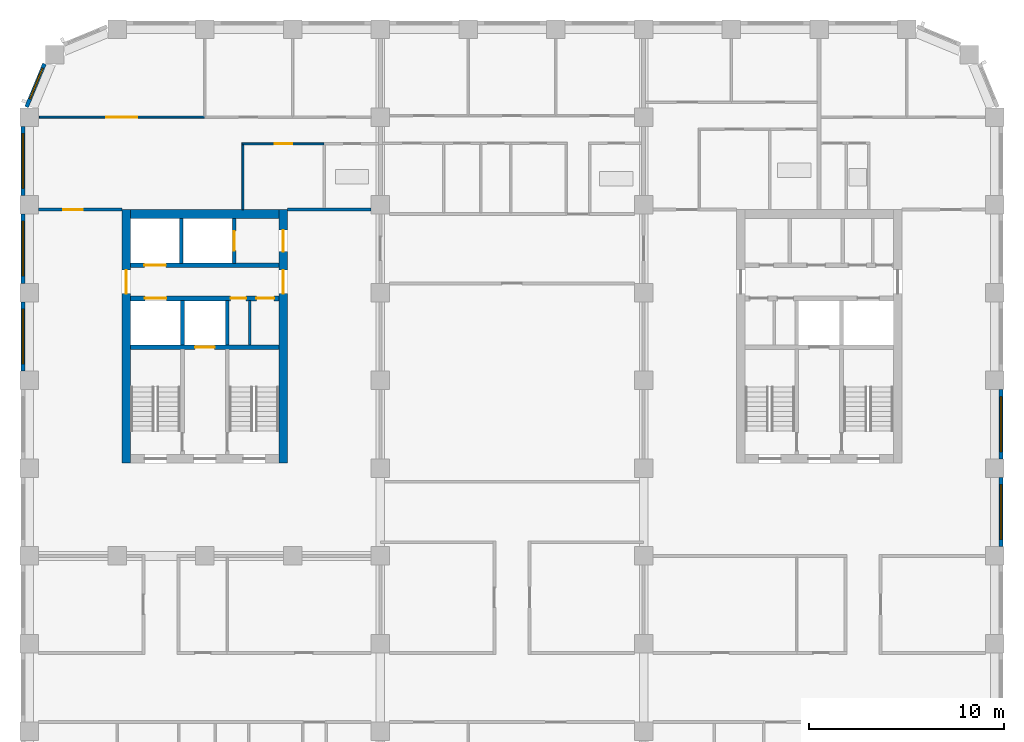
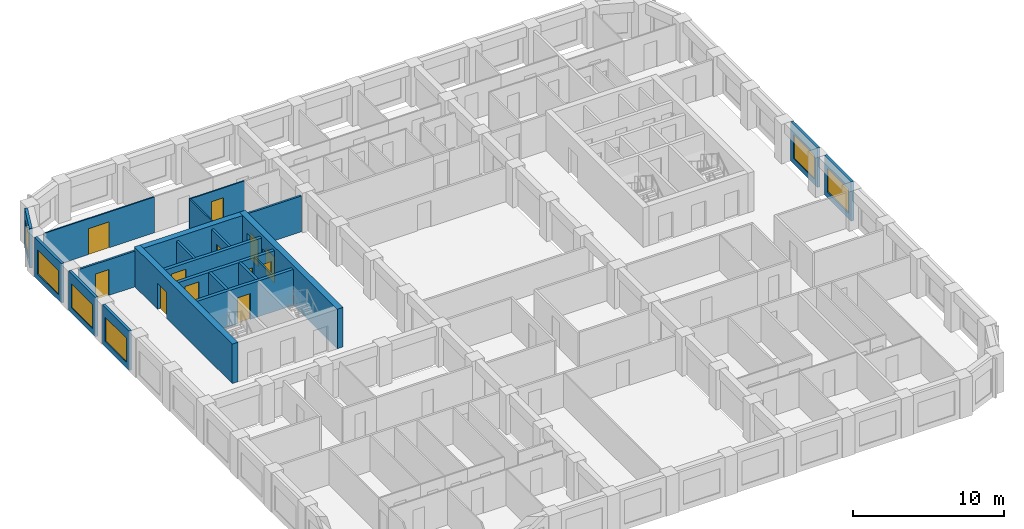
# One storey, part 6 of 13: 22 walls, 12 doors, 6 windows, 18 openings.
"""IFC4 building model written with IfcOpenShell, lengths in metres."""

from ifc_helpers import new_model, si_unit, direction, frame, frame_2d, origin, place, context, subcontext, project, spatial, rectangle, extrude, material, layer, layer_set, type_object, element, fill, save


model = new_model("IFC4")

# Units and contexts
model_context = context("Model", 3, precision=1e-05, world=origin(), true_north=direction((0.0, 1.0)))
body_context = subcontext(model_context, "Body", "Model", "MODEL_VIEW")
ifc_project = project(units=[si_unit("LENGTHUNIT", "METRE"), si_unit("AREAUNIT", "SQUARE_METRE"), si_unit("VOLUMEUNIT", "CUBIC_METRE"), si_unit("PLANEANGLEUNIT", "RADIAN"), si_unit("MASSUNIT", "GRAM", prefix="KILO")], contexts=[model_context])

# Site, building, storey
site_placement = place(None, origin())
site = spatial("IfcSite", under=ifc_project, at=site_placement, CompositionType="ELEMENT")
building_placement = place(site_placement, origin())
building = spatial("IfcBuilding", under=site, at=building_placement, Name="Girih Gate Residences", CompositionType="ELEMENT")
storey_placement = place(building_placement, frame((0.0, 0.0, 133.39990234375)))
storey = spatial("IfcBuildingStorey", under=building, at=storey_placement, Name="L37", CompositionType="ELEMENT", Elevation=133.39990234375)

# Wall, opening, door
ifc_material_1 = material(Name="Gypsum board on steel studs", Category="steel")
ifc_layer_1 = layer(ifc_material_1, 0.14990234375)
ifc_layer_set_1 = layer_set([ifc_layer_1], Name="Compartment wall 150 mm")
wall_type_1 = type_object("IfcWallType", Name="Compartment wall 150 mm", PredefinedType="PARTITIONING", material=ifc_layer_set_1)
wall_1_placement = place(storey_placement, frame((0.47509765625, 40.25, 0.0), z_axis=(0.0, 0.0, 1.0), x_axis=(1.0, 0.0, 0.0)))
wall_1 = element("IfcWall", 1, at=wall_1_placement, inside=storey, type_object=wall_type_1, Name="L37 partition", PredefinedType="PARTITIONING", context=body_context, shape_type="SweptSolid", body=[
    extrude(rectangle(XDim=4.27490234375, YDim=0.14990234375, at=frame_2d((2.137451171875, 0.0))), origin(), (0.0, 0.0, 1.0), 2.900146484375),
])
opening_1_placement = place(wall_1_placement, frame((1.27490234375, 0.0, 0.0)))
opening_1 = element("IfcOpeningElement", 2, at=opening_1_placement, cuts=wall_1, Name="Opening A37-016", PredefinedType="OPENING", context=body_context, shape_type="SweptSolid", body=[
    extrude(rectangle(XDim=1.0, YDim=2.10009765625, at=frame_2d((0.5, 1.050048828125))), frame((0.0, 0.0849609375, 0.0), z_axis=(0.0, -1.0, 0.0), x_axis=(1.0, 0.0, 0.0)), (0.0, 0.0, 1.0), 0.169921875),
])
ifc_material_2 = material(Name="Timber, fire-rated core", Category="wood")
door_type_1 = type_object("IfcDoorType", Name="Flat entrance door 1000x2100 FD30S", OperationType="NOTDEFINED", PredefinedType="DOOR", material=ifc_material_2)
door_1_placement = place(opening_1_placement, origin())
door_1 = element("IfcDoor", 3, at=door_1_placement, inside=storey, type_object=door_type_1, Name="Door A37-016", OperationType="SINGLE_SWING_LEFT", OverallHeight=2.10009765625, OverallWidth=1.0, PredefinedType="DOOR", context=body_context, shape_type="SweptSolid", body=[
    extrude(rectangle(XDim=1.0, YDim=2.10009765625, at=frame_2d((0.5, 1.050048828125))), frame((0.0, 0.02490234375, 0.0), z_axis=(0.0, -1.0, 0.0), x_axis=(1.0, 0.0, 0.0)), (0.0, 0.0, 1.0), 0.050048828125),
])
fill(opening_1, door_1)

# Walls
wall_2_placement = place(storey_placement, frame((13.25, 40.25, 0.0), z_axis=(0.0, 0.0, 1.0), x_axis=(1.0, 0.0, 0.0)))
element("IfcWall", 4, at=wall_2_placement, inside=storey, type_object=wall_type_1, Name="L37 partition", PredefinedType="PARTITIONING", context=body_context, shape_type="SweptSolid", body=[
    extrude(rectangle(XDim=4.27490234375, YDim=0.14990234375, at=frame_2d((2.137451171875, 0.0))), origin(), (0.0, 0.0, 1.0), 2.900146484375),
])
ifc_material_3 = material(Name="Concrete C60/75", Category="concrete")
ifc_layer_2 = layer(ifc_material_3, 0.449951171875)
ifc_layer_set_2 = layer_set([ifc_layer_2], Name="Core wall RC 450 Concrete C60/75")
wall_type_2 = type_object("IfcWallType", Name="Core wall RC 450 Concrete C60/75", PredefinedType="SOLIDWALL", material=ifc_layer_set_2)
wall_3_placement = place(storey_placement, frame((5.199951171875, 40.02490234375, 0.0), z_axis=(0.0, 0.0, 1.0), x_axis=(1.0, 0.0, 0.0)))
element("IfcWall", 5, at=wall_3_placement, inside=storey, type_object=wall_type_2, Name="Core wall W-N L37", PredefinedType="SOLIDWALL", context=body_context, shape_type="SweptSolid", body=[
    extrude(rectangle(XDim=7.60009765625, YDim=0.449951171875, at=frame_2d((3.800048828125, 0.0))), origin(), (0.0, 0.0, 1.0), 3.2001953125),
])

# Wall, opening, door
wall_4_placement = place(storey_placement, frame((4.97509765625, 27.25, 0.0), z_axis=(0.0, 0.0, 1.0), x_axis=(0.0, 1.0, 0.0)))
wall_4 = element("IfcWall", 6, at=wall_4_placement, inside=storey, type_object=wall_type_2, Name="Core wall W-W L37", PredefinedType="SOLIDWALL", context=body_context, shape_type="SweptSolid", body=[
    extrude(rectangle(XDim=13.0, YDim=0.449951171875, at=frame_2d((6.5, 0.0))), origin(), (0.0, 0.0, 1.0), 3.2001953125),
])
opening_2_placement = place(wall_4_placement, frame((8.699951171875, 0.0, 0.0)))
opening_2 = element("IfcOpeningElement", 7, at=opening_2_placement, cuts=wall_4, Name="Opening D-L37-W-013", PredefinedType="OPENING", context=body_context, shape_type="SweptSolid", body=[
    extrude(rectangle(XDim=1.199951171875, YDim=2.10009765625, at=frame_2d((0.60009765625, 1.050048828125))), frame((0.0, 0.23486328125, 0.0), z_axis=(0.0, -1.0, 0.0), x_axis=(1.0, 0.0, 0.0)), (0.0, 0.0, 1.0), 0.469970703125),
])
ifc_material_4 = material(Name="Painted steel, fire-resisting", Category="steel")
door_type_2 = type_object("IfcDoorType", Name="Fire door 1200x2100", OperationType="SINGLE_SWING_LEFT", PredefinedType="DOOR", material=ifc_material_4)
door_2_placement = place(opening_2_placement, origin())
door_2 = element("IfcDoor", 8, at=door_2_placement, inside=storey, type_object=door_type_2, Name="L37 W core door ll-w", OperationType="SINGLE_SWING_LEFT", OverallHeight=2.10009765625, OverallWidth=1.199951171875, PredefinedType="DOOR", context=body_context, shape_type="SweptSolid", body=[
    extrude(rectangle(XDim=1.199951171875, YDim=2.10009765625, at=frame_2d((0.60009765625, 1.050048828125))), frame((0.0, 0.02490234375, 0.0), z_axis=(0.0, -1.0, 0.0), x_axis=(1.0, 0.0, 0.0)), (0.0, 0.0, 1.0), 0.050048828125),
])
fill(opening_2, door_2)

# Wall, openings, doors
wall_5_placement = place(storey_placement, frame((13.02490234375, 27.25, 0.0), z_axis=(0.0, 0.0, 1.0), x_axis=(0.0, 1.0, 0.0)))
wall_5 = element("IfcWall", 9, at=wall_5_placement, inside=storey, type_object=wall_type_2, Name="Core wall W-E L37", PredefinedType="SOLIDWALL", context=body_context, shape_type="SweptSolid", body=[
    extrude(rectangle(XDim=13.0, YDim=0.449951171875, at=frame_2d((6.5, 0.0))), origin(), (0.0, 0.0, 1.0), 3.2001953125),
])
opening_3_placement = place(wall_5_placement, frame((10.85009765625, 0.0, 0.0)))
opening_3 = element("IfcOpeningElement", 10, at=opening_3_placement, cuts=wall_5, Name="Opening D-L37-W-012", PredefinedType="OPENING", context=body_context, shape_type="SweptSolid", body=[
    extrude(rectangle(XDim=1.10009765625, YDim=2.10009765625, at=frame_2d((0.550048828125, 1.050048828125))), frame((0.0, 0.23486328125, 0.0), z_axis=(0.0, -1.0, 0.0), x_axis=(1.0, 0.0, 0.0)), (0.0, 0.0, 1.0), 0.469970703125),
])
opening_4_placement = place(wall_5_placement, frame((8.699951171875, 0.0, 0.0)))
opening_4 = element("IfcOpeningElement", 11, at=opening_4_placement, cuts=wall_5, Name="Opening D-L37-W-014", PredefinedType="OPENING", context=body_context, shape_type="SweptSolid", body=[
    extrude(rectangle(XDim=1.199951171875, YDim=2.10009765625, at=frame_2d((0.60009765625, 1.050048828125))), frame((0.0, 0.23486328125, 0.0), z_axis=(0.0, -1.0, 0.0), x_axis=(1.0, 0.0, 0.0)), (0.0, 0.0, 1.0), 0.469970703125),
])
door_type_3 = type_object("IfcDoorType", Name="Fire door 1100x2100", OperationType="SINGLE_SWING_LEFT", PredefinedType="DOOR", material=ifc_material_4)
door_3_placement = place(opening_3_placement, origin())
door_3 = element("IfcDoor", 12, at=door_3_placement, inside=storey, type_object=door_type_3, Name="L37 W core door ffl2-e", OperationType="SINGLE_SWING_LEFT", OverallHeight=2.10009765625, OverallWidth=1.10009765625, PredefinedType="DOOR", context=body_context, shape_type="SweptSolid", body=[
    extrude(rectangle(XDim=1.10009765625, YDim=2.10009765625, at=frame_2d((0.550048828125, 1.050048828125))), frame((0.0, 0.02490234375, 0.0), z_axis=(0.0, -1.0, 0.0), x_axis=(1.0, 0.0, 0.0)), (0.0, 0.0, 1.0), 0.050048828125),
])
fill(opening_3, door_3)
door_4_placement = place(opening_4_placement, origin())
door_4 = element("IfcDoor", 13, at=door_4_placement, inside=storey, type_object=door_type_2, Name="L37 W core door ll-e", OperationType="SINGLE_SWING_LEFT", OverallHeight=2.10009765625, OverallWidth=1.199951171875, PredefinedType="DOOR", context=body_context, shape_type="SweptSolid", body=[
    extrude(rectangle(XDim=1.199951171875, YDim=2.10009765625, at=frame_2d((0.60009765625, 1.050048828125))), frame((0.0, 0.02490234375, 0.0), z_axis=(0.0, -1.0, 0.0), x_axis=(1.0, 0.0, 0.0)), (0.0, 0.0, 1.0), 0.050048828125),
])
fill(opening_4, door_4)

# Wall, opening, door
ifc_material_5 = material(Name="Concrete C40/50", Category="concrete")
ifc_layer_3 = layer(ifc_material_5, 0.25)
ifc_layer_set_3 = layer_set([ifc_layer_3], Name="Lift shaft wall 250")
wall_type_3 = type_object("IfcWallType", Name="Lift shaft wall 250", PredefinedType="SOLIDWALL", material=ifc_layer_set_3)
wall_6_placement = place(storey_placement, frame((5.199951171875, 33.199951171875, 0.0), z_axis=(0.0, 0.0, 1.0), x_axis=(1.0, 0.0, 0.0)))
wall_6 = element("IfcWall", 14, at=wall_6_placement, inside=storey, type_object=wall_type_3, Name="L37 W core wall H1", PredefinedType="SOLIDWALL", context=body_context, shape_type="SweptSolid", body=[
    extrude(rectangle(XDim=7.60009765625, YDim=0.25, at=frame_2d((3.800048828125, 0.0))), origin(), (0.0, 0.0, 1.0), 2.900146484375),
])
opening_5_placement = place(wall_6_placement, frame((3.300048828125, 0.0, 0.0)))
opening_5 = element("IfcOpeningElement", 15, at=opening_5_placement, cuts=wall_6, Name="Opening D-L37-W-006", PredefinedType="OPENING", context=body_context, shape_type="SweptSolid", body=[
    extrude(rectangle(XDim=1.0, YDim=2.10009765625, at=frame_2d((0.5, 1.050048828125))), frame((0.0, 0.135009765625, 0.0), z_axis=(0.0, -1.0, 0.0), x_axis=(1.0, 0.0, 0.0)), (0.0, 0.0, 1.0), 0.27001953125),
])
ifc_material_6 = material(Name="Stainless steel, fire-resisting", Category="steel")
door_type_4 = type_object("IfcDoorType", Name="Firefighting lift landing door 1000x2100", OperationType="SLIDING_TO_LEFT", PredefinedType="DOOR", material=ifc_material_6)
door_5_placement = place(opening_5_placement, origin())
door_5 = element("IfcDoor", 16, at=door_5_placement, inside=storey, type_object=door_type_4, Name="L37 lift FF-W landing door", OperationType="SLIDING_TO_LEFT", OverallHeight=2.10009765625, OverallWidth=1.0, PredefinedType="DOOR", context=body_context, shape_type="SweptSolid", body=[
    extrude(rectangle(XDim=1.0, YDim=2.10009765625, at=frame_2d((0.5, 1.050048828125))), frame((0.0, 0.02490234375, 0.0), z_axis=(0.0, -1.0, 0.0), x_axis=(1.0, 0.0, 0.0)), (0.0, 0.0, 1.0), 0.050048828125),
])
fill(opening_5, door_5)

# Wall, openings, doors
wall_7_placement = place(storey_placement, frame((5.199951171875, 35.699951171875, 0.0), z_axis=(0.0, 0.0, 1.0), x_axis=(1.0, 0.0, 0.0)))
wall_7 = element("IfcWall", 17, at=wall_7_placement, inside=storey, type_object=wall_type_3, Name="L37 W core wall H2", PredefinedType="SOLIDWALL", context=body_context, shape_type="SweptSolid", body=[
    extrude(rectangle(XDim=7.60009765625, YDim=0.25, at=frame_2d((3.800048828125, 0.0))), origin(), (0.0, 0.0, 1.0), 2.900146484375),
])
opening_6_placement = place(wall_7_placement, frame((0.72509765625, 0.0, 0.0)))
opening_6 = element("IfcOpeningElement", 18, at=opening_6_placement, cuts=wall_7, Name="Opening D-L37-W-005", PredefinedType="OPENING", context=body_context, shape_type="SweptSolid", body=[
    extrude(rectangle(XDim=1.10009765625, YDim=2.39990234375, at=frame_2d((0.550048828125, 1.199951171875))), frame((0.0, 0.135009765625, 0.0), z_axis=(0.0, -1.0, 0.0), x_axis=(1.0, 0.0, 0.0)), (0.0, 0.0, 1.0), 0.27001953125),
])
opening_7_placement = place(wall_7_placement, frame((5.125, 0.0, 0.0)))
opening_7 = element("IfcOpeningElement", 19, at=opening_7_placement, cuts=wall_7, Name="Opening D-L37-W-007", PredefinedType="OPENING", context=body_context, shape_type="SweptSolid", body=[
    extrude(rectangle(XDim=0.800048828125, YDim=2.10009765625, at=frame_2d((0.39990234375, 1.050048828125))), frame((0.0, 0.135009765625, 0.0), z_axis=(0.0, -1.0, 0.0), x_axis=(1.0, 0.0, 0.0)), (0.0, 0.0, 1.0), 0.27001953125),
])
opening_8_placement = place(wall_7_placement, frame((6.449951171875, 0.0, 0.0)))
opening_8 = element("IfcOpeningElement", 20, at=opening_8_placement, cuts=wall_7, Name="Opening D-L37-W-008", PredefinedType="OPENING", context=body_context, shape_type="SweptSolid", body=[
    extrude(rectangle(XDim=0.89990234375, YDim=2.10009765625, at=frame_2d((0.449951171875, 1.050048828125))), frame((0.0, 0.135009765625, 0.0), z_axis=(0.0, -1.0, 0.0), x_axis=(1.0, 0.0, 0.0)), (0.0, 0.0, 1.0), 0.27001953125),
])
door_type_5 = type_object("IfcDoorType", Name="Fire door 800x2100", OperationType="SINGLE_SWING_LEFT", PredefinedType="DOOR", material=ifc_material_4)
door_6_placement = place(opening_7_placement, origin())
door_6 = element("IfcDoor", 21, at=door_6_placement, inside=storey, type_object=door_type_5, Name="L37 W cleaners store door", OperationType="SINGLE_SWING_LEFT", OverallHeight=2.10009765625, OverallWidth=0.800048828125, PredefinedType="DOOR", context=body_context, shape_type="SweptSolid", body=[
    extrude(rectangle(XDim=0.800048828125, YDim=2.10009765625, at=frame_2d((0.39990234375, 1.050048828125))), frame((0.0, 0.02490234375, 0.0), z_axis=(0.0, -1.0, 0.0), x_axis=(1.0, 0.0, 0.0)), (0.0, 0.0, 1.0), 0.050048828125),
])
fill(opening_7, door_6)
door_type_6 = type_object("IfcDoorType", Name="Fire door 900x2100", OperationType="SINGLE_SWING_LEFT", PredefinedType="DOOR", material=ifc_material_4)
door_7_placement = place(opening_8_placement, origin())
door_7 = element("IfcDoor", 22, at=door_7_placement, inside=storey, type_object=door_type_6, Name="L37 W riser room door", OperationType="SINGLE_SWING_LEFT", OverallHeight=2.10009765625, OverallWidth=0.89990234375, PredefinedType="DOOR", context=body_context, shape_type="SweptSolid", body=[
    extrude(rectangle(XDim=0.89990234375, YDim=2.10009765625, at=frame_2d((0.449951171875, 1.050048828125))), frame((0.0, 0.02490234375, 0.0), z_axis=(0.0, -1.0, 0.0), x_axis=(1.0, 0.0, 0.0)), (0.0, 0.0, 1.0), 0.050048828125),
])
fill(opening_8, door_7)
ifc_material_7 = material(Name="Stainless steel", Category="steel")
door_type_7 = type_object("IfcDoorType", Name="Lift landing door 1100x2400", OperationType="SLIDING_TO_LEFT", PredefinedType="DOOR", material=ifc_material_7)
door_8_placement = place(opening_6_placement, origin())
door_8 = element("IfcDoor", 23, at=door_8_placement, inside=storey, type_object=door_type_7, Name="L37 lift HR-W1 landing door", OperationType="SLIDING_TO_LEFT", OverallHeight=2.39990234375, OverallWidth=1.10009765625, PredefinedType="DOOR", context=body_context, shape_type="SweptSolid", body=[
    extrude(rectangle(XDim=1.10009765625, YDim=2.39990234375, at=frame_2d((0.550048828125, 1.199951171875))), frame((0.0, 0.02490234375, 0.0), z_axis=(0.0, -1.0, 0.0), x_axis=(1.0, 0.0, 0.0)), (0.0, 0.0, 1.0), 0.050048828125),
])
fill(opening_6, door_8)

# Wall, opening, door
wall_8_placement = place(storey_placement, frame((5.199951171875, 37.39990234375, 0.0), z_axis=(0.0, 0.0, 1.0), x_axis=(1.0, 0.0, 0.0)))
wall_8 = element("IfcWall", 24, at=wall_8_placement, inside=storey, type_object=wall_type_3, Name="L37 W core wall H3", PredefinedType="SOLIDWALL", context=body_context, shape_type="SweptSolid", body=[
    extrude(rectangle(XDim=7.60009765625, YDim=0.25, at=frame_2d((3.800048828125, 0.0))), origin(), (0.0, 0.0, 1.0), 2.900146484375),
])
opening_9_placement = place(wall_8_placement, frame((0.699951171875, 0.0, 0.0)))
opening_9 = element("IfcOpeningElement", 25, at=opening_9_placement, cuts=wall_8, Name="Opening D-L37-W-003", PredefinedType="OPENING", context=body_context, shape_type="SweptSolid", body=[
    extrude(rectangle(XDim=1.10009765625, YDim=2.39990234375, at=frame_2d((0.550048828125, 1.199951171875))), frame((0.0, 0.135009765625, 0.0), z_axis=(0.0, -1.0, 0.0), x_axis=(1.0, 0.0, 0.0)), (0.0, 0.0, 1.0), 0.27001953125),
])
door_9_placement = place(opening_9_placement, origin())
door_9 = element("IfcDoor", 26, at=door_9_placement, inside=storey, type_object=door_type_7, Name="L37 lift LR-W1 landing door", OperationType="SLIDING_TO_LEFT", OverallHeight=2.39990234375, OverallWidth=1.10009765625, PredefinedType="DOOR", context=body_context, shape_type="SweptSolid", body=[
    extrude(rectangle(XDim=1.10009765625, YDim=2.39990234375, at=frame_2d((0.550048828125, 1.199951171875))), frame((0.0, 0.02490234375, 0.0), z_axis=(0.0, -1.0, 0.0), x_axis=(1.0, 0.0, 0.0)), (0.0, 0.0, 1.0), 0.050048828125),
])
fill(opening_9, door_9)

ifc_layer_4 = layer(ifc_material_1, 0.10009765625)
ifc_layer_set_4 = layer_set([ifc_layer_4], Name="Partition 100 mm")
wall_type_4 = type_object("IfcWallType", Name="Partition 100 mm", PredefinedType="PARTITIONING", material=ifc_layer_set_4)
wall_9_placement = place(storey_placement, frame((15.119384765625, 43.6201171875, 0.0), z_axis=(0.0, 0.0, 1.0), x_axis=(-1.0, 0.0, 0.0)))
wall_9 = element("IfcWall", 27, at=wall_9_placement, inside=storey, type_object=wall_type_4, Name="L37 partition", PredefinedType="PARTITIONING", context=body_context, shape_type="SweptSolid", body=[
    extrude(rectangle(XDim=4.219482421875, YDim=0.10009765625, at=frame_2d((2.10986328125, 0.0))), origin(), (0.0, 0.0, 1.0), 2.900146484375),
])
opening_10_placement = place(wall_9_placement, frame((1.634765625, 0.0, 0.0)))
opening_10 = element("IfcOpeningElement", 28, at=opening_10_placement, cuts=wall_9, Name="Opening A37-014", PredefinedType="OPENING", context=body_context, shape_type="SweptSolid", body=[
    extrude(rectangle(XDim=0.89990234375, YDim=2.10009765625, at=frame_2d((0.449951171875, 1.050048828125))), frame((0.0, 0.06005859375, 0.0), z_axis=(0.0, -1.0, 0.0), x_axis=(1.0, 0.0, 0.0)), (0.0, 0.0, 1.0), 0.1201171875),
])
ifc_material_8 = material(Name="Timber", Category="wood")
door_type_8 = type_object("IfcDoorType", Name="Kitchen door 900x2100", OperationType="NOTDEFINED", PredefinedType="DOOR", material=ifc_material_8)
door_10_placement = place(opening_10_placement, origin())
door_10 = element("IfcDoor", 29, at=door_10_placement, inside=storey, type_object=door_type_8, Name="Door A37-014", OperationType="SINGLE_SWING_LEFT", OverallHeight=2.10009765625, OverallWidth=0.89990234375, PredefinedType="DOOR", context=body_context, shape_type="SweptSolid", body=[
    extrude(rectangle(XDim=0.89990234375, YDim=2.10009765625, at=frame_2d((0.449951171875, 1.050048828125))), frame((0.0, 0.02490234375, 0.0), z_axis=(0.0, -1.0, 0.0), x_axis=(1.0, 0.0, 0.0)), (0.0, 0.0, 1.0), 0.050048828125),
])
fill(opening_10, door_10)

# Wall
wall_10_placement = place(storey_placement, frame((10.949951171875, 40.25, 0.0), z_axis=(0.0, 0.0, 1.0), x_axis=(0.0, 1.0, 0.0)))
element("IfcWall", 30, at=wall_10_placement, inside=storey, type_object=wall_type_4, Name="L37 partition", PredefinedType="PARTITIONING", context=body_context, shape_type="SweptSolid", body=[
    extrude(rectangle(XDim=3.320068359375, YDim=0.10009765625, at=frame_2d((1.66015625, 0.0))), origin(), (0.0, 0.0, 1.0), 2.900146484375),
])

# Wall, opening, door
wall_11_placement = place(storey_placement, frame((0.51416015625, 45.0, 0.0), z_axis=(0.0, 0.0, 1.0), x_axis=(1.0, 0.0, 0.0)))
wall_11 = element("IfcWall", 31, at=wall_11_placement, inside=storey, type_object=wall_type_4, Name="L37 partition", PredefinedType="PARTITIONING", context=body_context, shape_type="SweptSolid", body=[
    extrude(rectangle(XDim=8.48583984375, YDim=0.10009765625, at=frame_2d((4.242919921875, 0.0))), origin(), (0.0, 0.0, 1.0), 2.900146484375),
])
opening_11_placement = place(wall_11_placement, frame((3.42333984375, 0.0, 0.0)))
opening_11 = element("IfcOpeningElement", 32, at=opening_11_placement, cuts=wall_11, Name="Opening A37-015", PredefinedType="OPENING", context=body_context, shape_type="SweptSolid", body=[
    extrude(rectangle(XDim=1.60009765625, YDim=2.10009765625, at=frame_2d((0.800048828125, 1.050048828125))), frame((0.0, 0.06005859375, 0.0), z_axis=(0.0, -1.0, 0.0), x_axis=(1.0, 0.0, 0.0)), (0.0, 0.0, 1.0), 0.1201171875),
])
door_type_9 = type_object("IfcDoorType", Name="Double leaf door 1600x2100", OperationType="NOTDEFINED", PredefinedType="DOOR", material=ifc_material_8)
door_11_placement = place(opening_11_placement, origin())
door_11 = element("IfcDoor", 33, at=door_11_placement, inside=storey, type_object=door_type_9, Name="Door A37-015", OperationType="SINGLE_SWING_LEFT", OverallHeight=2.10009765625, OverallWidth=1.60009765625, PredefinedType="DOOR", context=body_context, shape_type="SweptSolid", body=[
    extrude(rectangle(XDim=1.60009765625, YDim=2.10009765625, at=frame_2d((0.800048828125, 1.050048828125))), frame((0.0, 0.02490234375, 0.0), z_axis=(0.0, -1.0, 0.0), x_axis=(1.0, 0.0, 0.0)), (0.0, 0.0, 1.0), 0.050048828125),
])
fill(opening_11, door_11)

# Wall, opening, window
ifc_material_9 = material(Name="Precast concrete C50/60", Category="concrete")
ifc_layer_5 = layer(ifc_material_9, 0.06005859375, Name="Outer leaf")
ifc_material_10 = material(Name="Rigid PIR insulation")
ifc_layer_6 = layer(ifc_material_10, 0.090087890625, Name="Insulation")
ifc_material_11 = material(Name="Precast concrete C40/50", Category="concrete")
ifc_layer_7 = layer(ifc_material_11, 0.050048828125, Name="Inner leaf")
ifc_layer_set_5 = layer_set([ifc_layer_5, ifc_layer_6, ifc_layer_7], Name="Precast concrete C50/60 external wall 200")
wall_type_5 = type_object("IfcWallType", Name="Precast concrete C50/60 external wall 200", PredefinedType="SOLIDWALL", material=ifc_layer_set_5)
wall_12_placement = place(storey_placement, frame((49.824951171875, 26.52490234375, 0.0), z_axis=(0.0, 0.0, 1.0), x_axis=(0.0, -1.0, 0.0)))
wall_12 = element("IfcWall", 34, at=wall_12_placement, inside=storey, type_object=wall_type_5, Name="External wall E0495_0045.4", PredefinedType="SOLIDWALL", context=body_context, shape_type="SweptSolid", body=[
    extrude(rectangle(XDim=3.5498046875, YDim=0.199951171875, at=frame_2d((1.77490234375, 0.0))), origin(), (0.0, 0.0, 1.0), 3.2001953125),
])
opening_12_placement = place(wall_12_placement, frame((0.375, 0.0, 0.449951171875)))
opening_12 = element("IfcOpeningElement", 35, at=opening_12_placement, cuts=wall_12, Name="Opening W-1B", PredefinedType="OPENING", context=body_context, shape_type="SweptSolid", body=[
    extrude(rectangle(XDim=2.800048828125, YDim=1.949951171875, at=frame_2d((1.39990234375, 0.97509765625))), frame((0.0, 0.10986328125, 0.0), z_axis=(0.0, -1.0, 0.0), x_axis=(1.0, 0.0, 0.0)), (0.0, 0.0, 1.0), 0.219970703125),
])
ifc_material_12 = material(Name="Double glazing in aluminium frame", Category="aluminium")
window_type_1 = type_object("IfcWindowType", Name="Window W-1B 2800x1950", PartitioningType="SINGLE_PANEL", PredefinedType="WINDOW", material=ifc_material_12)
window_1_placement = place(opening_12_placement, origin())
window_1 = element("IfcWindow", 36, at=window_1_placement, inside=storey, type_object=window_type_1, Name="Window W-1B E0495_0045.4", OverallHeight=1.949951171875, OverallWidth=2.800048828125, PartitioningType="SINGLE_PANEL", PredefinedType="WINDOW", context=body_context, shape_type="SweptSolid", body=[
    extrude(rectangle(XDim=2.800048828125, YDim=1.949951171875, at=frame_2d((1.39990234375, 0.97509765625))), frame((0.0, 0.030029296875, 0.0), z_axis=(0.0, -1.0, 0.0), x_axis=(1.0, 0.0, 0.0)), (0.0, 0.0, 1.0), 0.06005859375),
])
fill(opening_12, window_1)

wall_13_placement = place(storey_placement, frame((49.824951171875, 31.02490234375, 0.0), z_axis=(0.0, 0.0, 1.0), x_axis=(0.0, -1.0, 0.0)))
wall_13 = element("IfcWall", 37, at=wall_13_placement, inside=storey, type_object=wall_type_5, Name="External wall E0495_0045.5", PredefinedType="SOLIDWALL", context=body_context, shape_type="SweptSolid", body=[
    extrude(rectangle(XDim=3.5498046875, YDim=0.199951171875, at=frame_2d((1.77490234375, 0.0))), origin(), (0.0, 0.0, 1.0), 3.2001953125),
])
opening_13_placement = place(wall_13_placement, frame((0.375, 0.0, 0.449951171875)))
opening_13 = element("IfcOpeningElement", 38, at=opening_13_placement, cuts=wall_13, Name="Opening W-1B", PredefinedType="OPENING", context=body_context, shape_type="SweptSolid", body=[
    extrude(rectangle(XDim=2.800048828125, YDim=1.949951171875, at=frame_2d((1.39990234375, 0.97509765625))), frame((0.0, 0.10986328125, 0.0), z_axis=(0.0, -1.0, 0.0), x_axis=(1.0, 0.0, 0.0)), (0.0, 0.0, 1.0), 0.219970703125),
])
window_2_placement = place(opening_13_placement, origin())
window_2 = element("IfcWindow", 39, at=window_2_placement, inside=storey, type_object=window_type_1, Name="Window W-1B E0495_0045.5", OverallHeight=1.949951171875, OverallWidth=2.800048828125, PartitioningType="SINGLE_PANEL", PredefinedType="WINDOW", context=body_context, shape_type="SweptSolid", body=[
    extrude(rectangle(XDim=2.800048828125, YDim=1.949951171875, at=frame_2d((1.39990234375, 0.97509765625))), frame((0.0, 0.030029296875, 0.0), z_axis=(0.0, -1.0, 0.0), x_axis=(1.0, 0.0, 0.0)), (0.0, 0.0, 1.0), 0.06005859375),
])
fill(opening_13, window_2)

wall_14_placement = place(storey_placement, frame((-0.13916015625, 45.51318359375, 0.0), z_axis=(0.0, 0.0, 1.0), x_axis=(0.382680855588, 0.923880599843, 0.0)))
wall_14 = element("IfcWall", 40, at=wall_14_placement, inside=storey, type_object=wall_type_5, Name="External wall NW0013_0482.0", PredefinedType="SOLIDWALL", context=body_context, shape_type="SweptSolid", body=[
    extrude(rectangle(XDim=2.402587890625, YDim=0.199951171875, at=frame_2d((1.201171875, 0.0))), origin(), (0.0, 0.0, 1.0), 3.2001953125),
])
opening_14_placement = place(wall_14_placement, frame((0.451171875, 0.0, 0.449951171875)))
opening_14 = element("IfcOpeningElement", 41, at=opening_14_placement, cuts=wall_14, Name="Opening W-2E", PredefinedType="OPENING", context=body_context, shape_type="SweptSolid", body=[
    extrude(rectangle(XDim=1.699951171875, YDim=1.949951171875, at=frame_2d((0.85009765625, 0.97509765625))), frame((0.0, 0.10986328125, 0.0), z_axis=(0.0, -1.0, 0.0), x_axis=(1.0, 0.0, 0.0)), (0.0, 0.0, 1.0), 0.219970703125),
])
window_type_2 = type_object("IfcWindowType", Name="Window W-2E 1700x1950", PartitioningType="SINGLE_PANEL", PredefinedType="WINDOW", material=ifc_material_12)
window_3_placement = place(opening_14_placement, origin())
window_3 = element("IfcWindow", 42, at=window_3_placement, inside=storey, type_object=window_type_2, Name="Window W-2E NW0013_0482.0", OverallHeight=1.949951171875, OverallWidth=1.699951171875, PartitioningType="SINGLE_PANEL", PredefinedType="WINDOW", context=body_context, shape_type="SweptSolid", body=[
    extrude(rectangle(XDim=1.699951171875, YDim=1.949951171875, at=frame_2d((0.85009765625, 0.97509765625))), frame((0.0, 0.030029296875, 0.0), z_axis=(0.0, -1.0, 0.0), x_axis=(1.0, 0.0, 0.0)), (0.0, 0.0, 1.0), 0.06005859375),
])
fill(opening_14, window_3)

wall_15_placement = place(storey_placement, frame((-0.324951171875, 40.97509765625, 0.0), z_axis=(0.0, 0.0, 1.0), x_axis=(0.0, 1.0, 0.0)))
wall_15 = element("IfcWall", 43, at=wall_15_placement, inside=storey, type_object=wall_type_5, Name="External wall W0000_0450.0", PredefinedType="SOLIDWALL", context=body_context, shape_type="SweptSolid", body=[
    extrude(rectangle(XDim=3.5498046875, YDim=0.199951171875, at=frame_2d((1.77490234375, 0.0))), origin(), (0.0, 0.0, 1.0), 3.2001953125),
])
opening_15_placement = place(wall_15_placement, frame((0.375, 0.0, 0.449951171875)))
opening_15 = element("IfcOpeningElement", 44, at=opening_15_placement, cuts=wall_15, Name="Opening W-1B", PredefinedType="OPENING", context=body_context, shape_type="SweptSolid", body=[
    extrude(rectangle(XDim=2.800048828125, YDim=1.949951171875, at=frame_2d((1.39990234375, 0.97509765625))), frame((0.0, 0.10986328125, 0.0), z_axis=(0.0, -1.0, 0.0), x_axis=(1.0, 0.0, 0.0)), (0.0, 0.0, 1.0), 0.219970703125),
])
window_4_placement = place(opening_15_placement, origin())
window_4 = element("IfcWindow", 45, at=window_4_placement, inside=storey, type_object=window_type_1, Name="Window W-1B W0000_0450.0", OverallHeight=1.949951171875, OverallWidth=2.800048828125, PartitioningType="SINGLE_PANEL", PredefinedType="WINDOW", context=body_context, shape_type="SweptSolid", body=[
    extrude(rectangle(XDim=2.800048828125, YDim=1.949951171875, at=frame_2d((1.39990234375, 0.97509765625))), frame((0.0, 0.030029296875, 0.0), z_axis=(0.0, -1.0, 0.0), x_axis=(1.0, 0.0, 0.0)), (0.0, 0.0, 1.0), 0.06005859375),
])
fill(opening_15, window_4)

wall_16_placement = place(storey_placement, frame((-0.324951171875, 36.47509765625, 0.0), z_axis=(0.0, 0.0, 1.0), x_axis=(0.0, 1.0, 0.0)))
wall_16 = element("IfcWall", 46, at=wall_16_placement, inside=storey, type_object=wall_type_5, Name="External wall W0000_0450.1", PredefinedType="SOLIDWALL", context=body_context, shape_type="SweptSolid", body=[
    extrude(rectangle(XDim=3.5498046875, YDim=0.199951171875, at=frame_2d((1.77490234375, 0.0))), origin(), (0.0, 0.0, 1.0), 3.2001953125),
])
opening_16_placement = place(wall_16_placement, frame((0.375, 0.0, 0.449951171875)))
opening_16 = element("IfcOpeningElement", 47, at=opening_16_placement, cuts=wall_16, Name="Opening W-1B", PredefinedType="OPENING", context=body_context, shape_type="SweptSolid", body=[
    extrude(rectangle(XDim=2.800048828125, YDim=1.949951171875, at=frame_2d((1.39990234375, 0.97509765625))), frame((0.0, 0.10986328125, 0.0), z_axis=(0.0, -1.0, 0.0), x_axis=(1.0, 0.0, 0.0)), (0.0, 0.0, 1.0), 0.219970703125),
])
window_5_placement = place(opening_16_placement, origin())
window_5 = element("IfcWindow", 48, at=window_5_placement, inside=storey, type_object=window_type_1, Name="Window W-1B W0000_0450.1", OverallHeight=1.949951171875, OverallWidth=2.800048828125, PartitioningType="SINGLE_PANEL", PredefinedType="WINDOW", context=body_context, shape_type="SweptSolid", body=[
    extrude(rectangle(XDim=2.800048828125, YDim=1.949951171875, at=frame_2d((1.39990234375, 0.97509765625))), frame((0.0, 0.030029296875, 0.0), z_axis=(0.0, -1.0, 0.0), x_axis=(1.0, 0.0, 0.0)), (0.0, 0.0, 1.0), 0.06005859375),
])
fill(opening_16, window_5)

wall_17_placement = place(storey_placement, frame((-0.324951171875, 31.97509765625, 0.0), z_axis=(0.0, 0.0, 1.0), x_axis=(0.0, 1.0, 0.0)))
wall_17 = element("IfcWall", 49, at=wall_17_placement, inside=storey, type_object=wall_type_5, Name="External wall W0000_0450.2", PredefinedType="SOLIDWALL", context=body_context, shape_type="SweptSolid", body=[
    extrude(rectangle(XDim=3.5498046875, YDim=0.199951171875, at=frame_2d((1.77490234375, 0.0))), origin(), (0.0, 0.0, 1.0), 3.2001953125),
])
opening_17_placement = place(wall_17_placement, frame((0.375, 0.0, 0.449951171875)))
opening_17 = element("IfcOpeningElement", 50, at=opening_17_placement, cuts=wall_17, Name="Opening W-1B", PredefinedType="OPENING", context=body_context, shape_type="SweptSolid", body=[
    extrude(rectangle(XDim=2.800048828125, YDim=1.949951171875, at=frame_2d((1.39990234375, 0.97509765625))), frame((0.0, 0.10986328125, 0.0), z_axis=(0.0, -1.0, 0.0), x_axis=(1.0, 0.0, 0.0)), (0.0, 0.0, 1.0), 0.219970703125),
])
window_6_placement = place(opening_17_placement, origin())
window_6 = element("IfcWindow", 51, at=window_6_placement, inside=storey, type_object=window_type_1, Name="Window W-1B W0000_0450.2", OverallHeight=1.949951171875, OverallWidth=2.800048828125, PartitioningType="SINGLE_PANEL", PredefinedType="WINDOW", context=body_context, shape_type="SweptSolid", body=[
    extrude(rectangle(XDim=2.800048828125, YDim=1.949951171875, at=frame_2d((1.39990234375, 0.97509765625))), frame((0.0, 0.030029296875, 0.0), z_axis=(0.0, -1.0, 0.0), x_axis=(1.0, 0.0, 0.0)), (0.0, 0.0, 1.0), 0.06005859375),
])
fill(opening_17, window_6)

# Wall
ifc_layer_8 = layer(ifc_material_5, 0.175048828125)
ifc_layer_set_6 = layer_set([ifc_layer_8], Name="Riser shaft wall 175")
wall_type_6 = type_object("IfcWallType", Name="Riser shaft wall 175", PredefinedType="SOLIDWALL", material=ifc_layer_set_6)
wall_18_placement = place(storey_placement, frame((7.800048828125, 37.5, 0.0), z_axis=(0.0, 0.0, 1.0), x_axis=(0.0, 1.0, 0.0)))
element("IfcWall", 52, at=wall_18_placement, inside=storey, type_object=wall_type_6, Name="L37 W core wall V1c", PredefinedType="SOLIDWALL", context=body_context, shape_type="SweptSolid", body=[
    extrude(rectangle(XDim=2.300048828125, YDim=0.175048828125, at=frame_2d((1.14990234375, 0.0))), origin(), (0.0, 0.0, 1.0), 2.900146484375),
])

# Wall, opening, door
wall_19_placement = place(storey_placement, frame((10.5, 37.5, 0.0), z_axis=(0.0, 0.0, 1.0), x_axis=(0.0, 1.0, 0.0)))
wall_19 = element("IfcWall", 53, at=wall_19_placement, inside=storey, type_object=wall_type_6, Name="L37 W core wall V2c", PredefinedType="SOLIDWALL", context=body_context, shape_type="SweptSolid", body=[
    extrude(rectangle(XDim=2.300048828125, YDim=0.175048828125, at=frame_2d((1.14990234375, 0.0))), origin(), (0.0, 0.0, 1.0), 2.900146484375),
])
opening_18_placement = place(wall_19_placement, frame((0.64990234375, 0.0, 0.0)))
opening_18 = element("IfcOpeningElement", 54, at=opening_18_placement, cuts=wall_19, Name="Opening D-L37-W-004", PredefinedType="OPENING", context=body_context, shape_type="SweptSolid", body=[
    extrude(rectangle(XDim=1.0, YDim=2.10009765625, at=frame_2d((0.5, 1.050048828125))), frame((0.0, 0.097412109375, 0.0), z_axis=(0.0, -1.0, 0.0), x_axis=(1.0, 0.0, 0.0)), (0.0, 0.0, 1.0), 0.195068359375),
])
door_12_placement = place(opening_18_placement, origin())
door_12 = element("IfcDoor", 55, at=door_12_placement, inside=storey, type_object=door_type_4, Name="L37 lift FF-W2 landing door", OperationType="SLIDING_TO_LEFT", OverallHeight=2.10009765625, OverallWidth=1.0, PredefinedType="DOOR", context=body_context, shape_type="SweptSolid", body=[
    extrude(rectangle(XDim=1.0, YDim=2.10009765625, at=frame_2d((0.5, 1.050048828125))), frame((0.0, 0.02490234375, 0.0), z_axis=(0.0, -1.0, 0.0), x_axis=(1.0, 0.0, 0.0)), (0.0, 0.0, 1.0), 0.050048828125),
])
fill(opening_18, door_12)

# Walls
ifc_layer_9 = layer(ifc_material_5, 0.199951171875)
ifc_layer_set_7 = layer_set([ifc_layer_9], Name="Shaft wall 200")
wall_type_7 = type_object("IfcWallType", Name="Shaft wall 200", PredefinedType="SOLIDWALL", material=ifc_layer_set_7)
for number, where, z_axis, x_axis, name in (
    (56, (7.85009765625, 33.300048828125, 0.0), (0.0, 0.0, 1.0), (0.0, 1.0, 0.0), "L37 W core wall V1b"),
    (57, (10.14990234375, 33.300048828125, 0.0), (0.0, 0.0, 1.0), (0.0, 1.0, 0.0), "L37 W core wall V2b"),
):
    element("IfcWall", number, at=place(storey_placement, frame(where, z_axis=z_axis, x_axis=x_axis)), inside=storey, type_object=wall_type_7, Name=name, PredefinedType="SOLIDWALL", context=body_context, shape_type="SweptSolid", body=[
        extrude(rectangle(XDim=2.300048828125, YDim=0.199951171875, at=frame_2d((1.14990234375, 0.0))), origin(), (0.0, 0.0, 1.0), 2.900146484375),
    ])
ifc_material_13 = material(Name="Calcium silicate blockwork", Category="masonry")
ifc_layer_10 = layer(ifc_material_13, 0.125)
ifc_layer_set_8 = layer_set([ifc_layer_10], Name="Store partition 125")
wall_type_8 = type_object("IfcWallType", Name="Store partition 125", PredefinedType="PARTITIONING", material=ifc_layer_set_8)
wall_20_placement = place(storey_placement, frame((11.300048828125, 33.300048828125, 0.0), z_axis=(0.0, 0.0, 1.0), x_axis=(0.0, 1.0, 0.0)))
element("IfcWall", 58, at=wall_20_placement, inside=storey, type_object=wall_type_8, Name="L37 W core wall SHR2", PredefinedType="PARTITIONING", context=body_context, shape_type="SweptSolid", body=[
    extrude(rectangle(XDim=2.300048828125, YDim=0.125, at=frame_2d((1.14990234375, 0.0))), origin(), (0.0, 0.0, 1.0), 2.900146484375),
])

save(model, "model.ifc")
